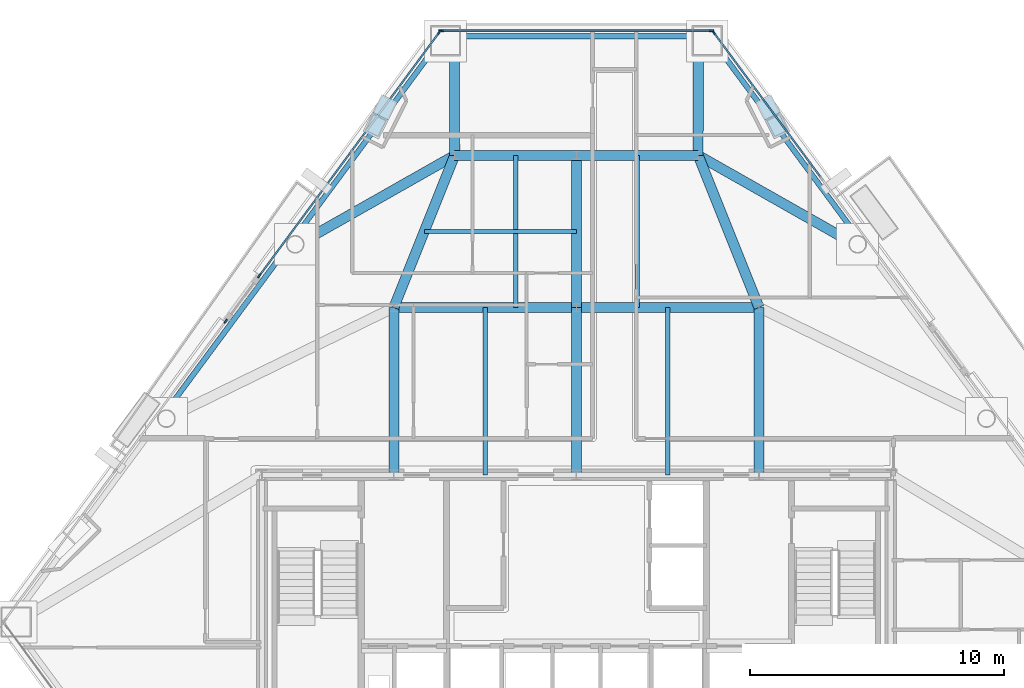
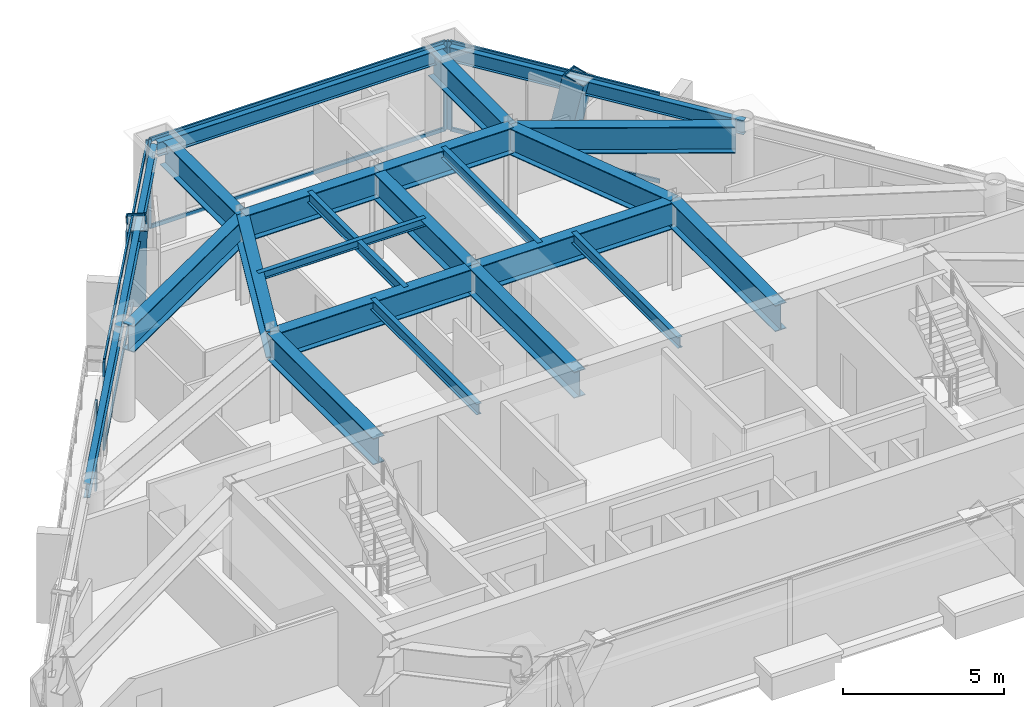
# One storey, part 4 of 11: 23 beams, 14 members, 4 elements without a shape of their own.
"""IFC4 building model written with IfcOpenShell, lengths in metres."""

from ifc_helpers import new_model, si_unit, direction, frame, origin, origin_2d, place, context, subcontext, project, spatial, rectangle, hollow_rectangle, i_section, extrude, material, layer, layer_set, material_profile, profile_set, type_object, element, aggregate, save


model = new_model("IFC4")

# Units and contexts
model_context = context("Model", 3, precision=1e-05, world=origin(), true_north=direction((0.0, 1.0)))
body_context = subcontext(model_context, "Body", "Model", "MODEL_VIEW")
ifc_project = project(units=[si_unit("LENGTHUNIT", "METRE"), si_unit("AREAUNIT", "SQUARE_METRE"), si_unit("VOLUMEUNIT", "CUBIC_METRE"), si_unit("PLANEANGLEUNIT", "RADIAN"), si_unit("MASSUNIT", "GRAM", prefix="KILO")], contexts=[model_context])

# Site, building, storey
site_placement = place(None, origin())
site = spatial("IfcSite", under=ifc_project, at=site_placement, CompositionType="ELEMENT")
building_placement = place(site_placement, origin())
building = spatial("IfcBuilding", under=site, at=building_placement, Name="Talgorran Terracotta Tower", CompositionType="ELEMENT")
storey_placement = place(building_placement, frame((0.0, 0.0, 140.10009765625)))
storey = spatial("IfcBuildingStorey", under=building, at=storey_placement, Name="L36", CompositionType="ELEMENT", Elevation=140.10009765625)

# Beams
ifc_material_1 = material(Name="Steel Grade 350 (350L0)", Category="steel")
ifc_material_profile_1 = material_profile(ifc_material_1, i_section(OverallWidth=0.39990234375, OverallDepth=1.0, WebThickness=0.01611328125, FlangeThickness=0.031005859375, at=origin_2d()), Name="1000WB296")
ifc_profile_set_1 = profile_set([ifc_material_profile_1], Name="Steel Grade 350 (350L0)")
beam_type_1 = type_object("IfcBeamType", Name="BM_1000WB296", PredefinedType="BEAM", material=ifc_profile_set_1)
for number, where, z_axis, x_axis, name in (
    (1, (4.80615234375, 13.177978515625, 2.849853515625), (-0.001277399193, -0.999999184125, 0.0), (0.999999184125, -0.001277399193, 0.0), "L36 Perimeter Step Girder 9B"),
    (2, (-4.80615234375, 13.177978515625, 2.849853515625), (0.001277399193, -0.999999184125, 0.0), (0.999999184125, 0.001277399193, 0.0), "L36 Perimeter Step Girder 10B"),
):
    element("IfcBeam", number, at=place(storey_placement, frame(where, z_axis=z_axis, x_axis=x_axis)), inside=storey, type_object=beam_type_1, Name=name, PredefinedType="BEAM", context=body_context, shape_type="SweptSolid", body=[
        extrude(i_section(OverallWidth=0.39990234375, OverallDepth=1.0, WebThickness=0.01611328125, FlangeThickness=0.031005859375, at=origin_2d()), origin(), (0.0, 0.0, 1.0), 4.778076171875),
    ])
for number, where, z_axis, x_axis, name in (
    (3, (-7.199951171875, -4.199951171875, 2.849853515625), (0.0, 1.0, 0.0), (-1.0, 0.0, 0.0), "L36 Floor Girder G01"),
    (4, (0.0, -4.199951171875, 2.849853515625), (0.0, 1.0, 0.0), (-1.0, 0.0, 0.0), "L36 Floor Girder G02"),
    (5, (7.199951171875, -4.199951171875, 2.849853515625), (0.0, 1.0, 0.0), (-1.0, 0.0, 0.0), "L36 Floor Girder G03"),
):
    element("IfcBeam", number, at=place(storey_placement, frame(where, z_axis=z_axis, x_axis=x_axis)), inside=storey, type_object=beam_type_1, Name=name, PredefinedType="BEAM", context=body_context, shape_type="SweptSolid", body=[
        extrude(i_section(OverallWidth=0.39990234375, OverallDepth=1.0, WebThickness=0.01611328125, FlangeThickness=0.031005859375, at=origin_2d()), origin(), (0.0, 0.0, 1.0), 6.599853515625),
    ])
for number, where, z_axis, x_axis, name in (
    (6, (-7.199951171875, 2.39990234375, 2.849853515625), (1.0, 0.0, 0.0), (0.0, 1.0, 0.0), "L36 Floor Girder G04"),
    (7, (0.0, 2.39990234375, 2.849853515625), (1.0, 0.0, 0.0), (0.0, 1.0, 0.0), "L36 Floor Girder G05"),
):
    element("IfcBeam", number, at=place(storey_placement, frame(where, z_axis=z_axis, x_axis=x_axis)), inside=storey, type_object=beam_type_1, Name=name, PredefinedType="BEAM", context=body_context, shape_type="SweptSolid", body=[
        extrude(i_section(OverallWidth=0.39990234375, OverallDepth=1.0, WebThickness=0.01611328125, FlangeThickness=0.031005859375, at=origin_2d()), origin(), (0.0, 0.0, 1.0), 7.199951171875),
    ])
beam_1_placement = place(storey_placement, frame((-7.199951171875, 2.39990234375, 2.849853515625), z_axis=(0.371377648723, 0.928481901832, 0.0), x_axis=(-0.928481901832, 0.371377648723, 0.0)))
element("IfcBeam", 8, at=beam_1_placement, inside=storey, type_object=beam_type_1, Name="L36 Floor Girder G08", PredefinedType="BEAM", context=body_context, shape_type="SweptSolid", body=[
    extrude(i_section(OverallWidth=0.39990234375, OverallDepth=1.0, WebThickness=0.01611328125, FlangeThickness=0.031005859375, at=origin_2d()), origin(), (0.0, 0.0, 1.0), 6.462158203125),
])
beam_2_placement = place(storey_placement, frame((0.0, 2.39990234375, 2.849853515625), z_axis=(0.0, 1.0, 0.0), x_axis=(-1.0, 0.0, 0.0)))
element("IfcBeam", 9, at=beam_2_placement, inside=storey, type_object=beam_type_1, Name="L36 Floor Girder G09", PredefinedType="BEAM", context=body_context, shape_type="SweptSolid", body=[
    extrude(i_section(OverallWidth=0.39990234375, OverallDepth=1.0, WebThickness=0.01611328125, FlangeThickness=0.031005859375, at=origin_2d()), origin(), (0.0, 0.0, 1.0), 6.0),
])
beam_3_placement = place(storey_placement, frame((7.199951171875, 2.39990234375, 2.849853515625), z_axis=(-0.371377648723, 0.928481901832, 0.0), x_axis=(-0.928481901832, -0.371377648723, 0.0)))
element("IfcBeam", 10, at=beam_3_placement, inside=storey, type_object=beam_type_1, Name="L36 Floor Girder G10", PredefinedType="BEAM", context=body_context, shape_type="SweptSolid", body=[
    extrude(i_section(OverallWidth=0.39990234375, OverallDepth=1.0, WebThickness=0.01611328125, FlangeThickness=0.031005859375, at=origin_2d()), origin(), (0.0, 0.0, 1.0), 6.462158203125),
])
for number, where, z_axis, x_axis, name in (
    (11, (-4.800048828125, 8.39990234375, 2.849853515625), (1.0, 0.0, 0.0), (0.0, 1.0, 0.0), "L36 Floor Girder G11"),
    (12, (0.0, 8.39990234375, 2.849853515625), (1.0, 0.0, 0.0), (0.0, 1.0, 0.0), "L36 Floor Girder G12"),
):
    element("IfcBeam", number, at=place(storey_placement, frame(where, z_axis=z_axis, x_axis=x_axis)), inside=storey, type_object=beam_type_1, Name=name, PredefinedType="BEAM", context=body_context, shape_type="SweptSolid", body=[
        extrude(i_section(OverallWidth=0.39990234375, OverallDepth=1.0, WebThickness=0.01611328125, FlangeThickness=0.031005859375, at=origin_2d()), origin(), (0.0, 0.0, 1.0), 4.800048828125),
    ])
for number, where, z_axis, x_axis, name in (
    (13, (-4.800048828125, 8.39990234375, 2.849853515625), (-0.869819954878, -0.493369279644, 0.0), (0.493369279644, -0.869819954878, 0.0), "L36 Floor Girder G13"),
    (14, (4.800048828125, 8.39990234375, 2.849853515625), (0.869819954878, -0.493369279644, 0.0), (0.493369279644, 0.869819954878, 0.0), "L36 Floor Girder G14"),
):
    element("IfcBeam", number, at=place(storey_placement, frame(where, z_axis=z_axis, x_axis=x_axis)), inside=storey, type_object=beam_type_1, Name=name, PredefinedType="BEAM", context=body_context, shape_type="SweptSolid", body=[
        extrude(i_section(OverallWidth=0.39990234375, OverallDepth=1.0, WebThickness=0.01611328125, FlangeThickness=0.031005859375, at=origin_2d()), origin(), (0.0, 0.0, 1.0), 6.9931640625),
    ])
ifc_material_2 = material(Name="Steel S355 (300PLUS)", Category="steel")
ifc_material_profile_2 = material_profile(ifc_material_2, i_section(OverallWidth=0.177734375, OverallDepth=0.406494140625, WebThickness=0.0078125, FlangeThickness=0.0126953125, at=origin_2d()), Name="410UB59.7")
ifc_profile_set_2 = profile_set([ifc_material_profile_2], Name="Steel S355 (300PLUS)")
beam_type_2 = type_object("IfcBeamType", Name="BM_JS_410UB60", PredefinedType="JOIST", material=ifc_profile_set_2)
for number, where, z_axis, x_axis, name in (
    (15, (-3.60009765625, -4.199951171875, 3.146728515625), (0.0, 1.0, 0.0), (-1.0, 0.0, 0.0), "L36 Secondary Joist J01"),
    (16, (3.60009765625, -4.199951171875, 3.146728515625), (0.0, 1.0, 0.0), (-1.0, 0.0, 0.0), "L36 Secondary Joist J02"),
):
    element("IfcBeam", number, at=place(storey_placement, frame(where, z_axis=z_axis, x_axis=x_axis)), inside=storey, type_object=beam_type_2, Name=name, PredefinedType="JOIST", context=body_context, shape_type="SweptSolid", body=[
        extrude(i_section(OverallWidth=0.177734375, OverallDepth=0.406494140625, WebThickness=0.0078125, FlangeThickness=0.0126953125, at=origin_2d()), origin(), (0.0, 0.0, 1.0), 6.599853515625),
    ])
for number, where, z_axis, x_axis, name in (
    (17, (-2.39990234375, 2.39990234375, 3.146728515625), (0.0, 1.0, 0.0), (-1.0, 0.0, 0.0), "L36 Secondary Joist J03"),
    (18, (2.39990234375, 2.39990234375, 3.146728515625), (0.0, 1.0, 0.0), (-1.0, 0.0, 0.0), "L36 Secondary Joist J04"),
):
    element("IfcBeam", number, at=place(storey_placement, frame(where, z_axis=z_axis, x_axis=x_axis)), inside=storey, type_object=beam_type_2, Name=name, PredefinedType="JOIST", context=body_context, shape_type="SweptSolid", body=[
        extrude(i_section(OverallWidth=0.177734375, OverallDepth=0.406494140625, WebThickness=0.0078125, FlangeThickness=0.0126953125, at=origin_2d()), origin(), (0.0, 0.0, 1.0), 6.0),
    ])
ifc_material_profile_3 = material_profile(ifc_material_2, i_section(OverallWidth=0.1650390625, OverallDepth=0.303955078125, WebThickness=0.006103515625, FlangeThickness=0.01025390625, at=origin_2d()), Name="310UB40.4")
ifc_profile_set_3 = profile_set([ifc_material_profile_3], Name="Steel S355 (300PLUS)")
beam_type_3 = type_object("IfcBeamType", Name="BM_OL_310UB40", PredefinedType="BEAM", material=ifc_profile_set_3)
beam_4_placement = place(storey_placement, frame((-6.0, 5.39990234375, 3.197998046875), z_axis=(1.0, 0.0, 0.0), x_axis=(0.0, 1.0, 0.0)))
element("IfcBeam", 19, at=beam_4_placement, inside=storey, type_object=beam_type_3, Name="L36 Balcony Back-Span Tie Beam OL1", PredefinedType="BEAM", context=body_context, shape_type="SweptSolid", body=[
    extrude(i_section(OverallWidth=0.1650390625, OverallDepth=0.303955078125, WebThickness=0.006103515625, FlangeThickness=0.01025390625, at=origin_2d()), origin(), (0.0, 0.0, 1.0), 6.0),
])
ifc_material_profile_4 = material_profile(ifc_material_2, i_section(OverallWidth=0.209228515625, OverallDepth=0.532958984375, WebThickness=0.01025390625, FlangeThickness=0.015625, at=origin_2d()), Name="530UB92.4")
ifc_profile_set_4 = profile_set([ifc_material_profile_4], Name="Steel S355 (300PLUS)")
beam_type_4 = type_object("IfcBeamType", Name="BM_SP_530UB92", PredefinedType="SPANDREL", material=ifc_profile_set_4)
beam_5_placement = place(storey_placement, frame((11.2333984375, 5.000732421875, 3.08349609375), z_axis=(-0.594348381438, 0.80420768554, 0.0), x_axis=(-0.80420768554, -0.594348381438, 0.0)))
element("IfcBeam", 20, at=beam_5_placement, inside=storey, type_object=beam_type_4, Name="L36 Perimeter Spandrel Beam FC4-MC5", PredefinedType="SPANDREL", context=body_context, shape_type="SweptSolid", body=[
    extrude(i_section(OverallWidth=0.209228515625, OverallDepth=0.532958984375, WebThickness=0.01025390625, FlangeThickness=0.015625, at=origin_2d()), origin(), (0.0, 0.0, 1.0), 9.97216796875),
])
beam_6_placement = place(storey_placement, frame((5.16162109375, 13.093505859375, 3.08349609375), z_axis=(-1.0, 0.0, 0.0), x_axis=(0.0, -1.0, 0.0)))
element("IfcBeam", 21, at=beam_6_placement, inside=storey, type_object=beam_type_4, Name="L36 Perimeter Spandrel Beam MC5-MC6", PredefinedType="SPANDREL", context=body_context, shape_type="SweptSolid", body=[
    extrude(i_section(OverallWidth=0.209228515625, OverallDepth=0.532958984375, WebThickness=0.01025390625, FlangeThickness=0.015625, at=origin_2d()), origin(), (0.0, 0.0, 1.0), 10.3232421875),
])
beam_7_placement = place(storey_placement, frame((-5.306396484375, 13.0205078125, 3.08349609375), z_axis=(-0.594348381438, -0.80420768554, 0.0), x_axis=(0.80420768554, -0.594348381438, 0.0)))
element("IfcBeam", 22, at=beam_7_placement, inside=storey, type_object=beam_type_4, Name="L36 Perimeter Spandrel Beam MC6-FC5", PredefinedType="SPANDREL", context=body_context, shape_type="SweptSolid", body=[
    extrude(i_section(OverallWidth=0.209228515625, OverallDepth=0.532958984375, WebThickness=0.01025390625, FlangeThickness=0.015625, at=origin_2d()), origin(), (0.0, 0.0, 1.0), 9.97216796875),
])
beam_8_placement = place(storey_placement, frame((-11.2333984375, 5.000732421875, 3.08349609375), z_axis=(-0.594373393058, -0.804189200142, 0.0), x_axis=(0.804189200142, -0.594373393058, 0.0)))
element("IfcBeam", 23, at=beam_8_placement, inside=storey, type_object=beam_type_4, Name="L36 Perimeter Spandrel Beam FC5-FC6", PredefinedType="SPANDREL", context=body_context, shape_type="SweptSolid", body=[
    extrude(i_section(OverallWidth=0.209228515625, OverallDepth=0.532958984375, WebThickness=0.01025390625, FlangeThickness=0.015625, at=origin_2d()), origin(), (0.0, 0.0, 1.0), 8.5478515625),
])

# Members
ifc_material_profile_5 = material_profile(ifc_material_1, hollow_rectangle(XDim=0.6201171875, YDim=0.780029296875, WallThickness=0.0419921875, at=origin_2d()), Name="WBOX780X620X42")
ifc_profile_set_5 = profile_set([ifc_material_profile_5], Name="Steel Grade 350 (350L0)")
member_type_1 = type_object("IfcMemberType", Name="MB_MEGA_780", PredefinedType="BRACE", material=ifc_profile_set_5)
for number, where, z_axis, x_axis, name in (
    (24, (7.56201171875, 10.271240234375, -0.025146484375), (0.10092124449, -0.199392944211, 0.974708857151), (0.892224247831, 0.451592616838, 0.0), "L36 Exterior Face Mega-Brace MB-2 (NEU)"),
    (25, (-7.56201171875, 10.271240234375, -0.025146484375), (-0.10092124449, -0.199392944211, 0.974708857151), (0.892224247831, -0.451592616838, 0.0), "L36 Exterior Face Mega-Brace MB-2 (NWU)"),
):
    element("IfcMember", number, at=place(storey_placement, frame(where, z_axis=z_axis, x_axis=x_axis)), inside=storey, type_object=member_type_1, Name=name, PredefinedType="BRACE", context=body_context, shape_type="SweptSolid", body=[
        extrude(hollow_rectangle(XDim=0.6201171875, YDim=0.780029296875, WallThickness=0.0419921875, at=origin_2d()), origin(), (0.0, 0.0, 1.0), 3.48828125),
    ])

# Curtain wall, member
ifc_material_3 = material(Name="Unitised Low-E Double Glazing", Category="glass")
ifc_layer = layer(ifc_material_3, 0.199951171875, Name="CW_SYS2_RES_LOW")
ifc_layer_set = layer_set([ifc_layer], Name="Unitised Low-E Double Glazing")
curtain_wall_type = type_object("IfcCurtainWallType", Name="CW_SYS2_RES_LOW", PredefinedType="NOTDEFINED", material=ifc_layer_set)
curtain_wall_1_placement = place(storey_placement, origin())
curtain_wall_1 = element("IfcCurtainWall", 26, at=curtain_wall_1_placement, inside=storey, type_object=curtain_wall_type, Name="CW-L36-F41", PredefinedType="NOTDEFINED")
ifc_material_4 = material(Name="Architectural Aluminium 6063-T6", Category="aluminium")
ifc_material_profile_6 = material_profile(ifc_material_4, rectangle(XDim=0.06494140625, YDim=0.18505859375, at=origin_2d()), Name="CWM65X185")
ifc_profile_set_6 = profile_set([ifc_material_profile_6], Name="Architectural Aluminium 6063-T6")
member_type_2 = type_object("IfcMemberType", Name="MUL_65X185", PredefinedType="MULLION", material=ifc_profile_set_6)
member_1_placement = place(storey_placement, frame((5.406494140625, 13.255126953125, 0.0), z_axis=(0.0, 0.0, 1.0), x_axis=(-0.804201449574, -0.594356819177, 0.0)))
member_1 = element("IfcMember", 27, at=member_1_placement, type_object=member_type_2, Name="CW-L36-41 mullion 3", PredefinedType="MULLION", context=body_context, shape_type="SweptSolid", body=[
    extrude(rectangle(XDim=0.06494140625, YDim=0.18505859375, at=origin_2d()), origin(), (0.0, 0.0, 1.0), 3.349853515625),
])

# Curtain wall, members
curtain_wall_2_placement = place(storey_placement, origin())
curtain_wall_2 = element("IfcCurtainWall", 28, at=curtain_wall_2_placement, inside=storey, type_object=curtain_wall_type, Name="CW-L36-F4", PredefinedType="NOTDEFINED")
member_2_placement = place(storey_placement, frame((5.330810546875, 13.3134765625, 0.0), z_axis=(0.0, 0.0, 1.0), x_axis=(0.0, -1.0, 0.0)))
member_2 = element("IfcMember", 29, at=member_2_placement, type_object=member_type_2, Name="CW-L36-4 mullion 1", PredefinedType="MULLION", context=body_context, shape_type="SweptSolid", body=[
    extrude(rectangle(XDim=0.06494140625, YDim=0.18505859375, at=origin_2d()), origin(), (0.0, 0.0, 1.0), 3.349853515625),
])
member_3_placement = place(storey_placement, frame((-5.330810546875, 13.3134765625, 0.0), z_axis=(0.0, 0.0, 1.0), x_axis=(0.0, -1.0, 0.0)))
member_3 = element("IfcMember", 30, at=member_3_placement, type_object=member_type_2, Name="CW-L36-4 mullion 2", PredefinedType="MULLION", context=body_context, shape_type="SweptSolid", body=[
    extrude(rectangle(XDim=0.06494140625, YDim=0.18505859375, at=origin_2d()), origin(), (0.0, 0.0, 1.0), 3.349853515625),
])

curtain_wall_3_placement = place(storey_placement, origin())
curtain_wall_3 = element("IfcCurtainWall", 31, at=curtain_wall_3_placement, inside=storey, type_object=curtain_wall_type, Name="CW-L36-F60", PredefinedType="NOTDEFINED")
member_4_placement = place(storey_placement, frame((-5.406494140625, 13.255126953125, 0.0), z_axis=(0.0, 0.0, 1.0), x_axis=(0.804200190833, -0.594358522328, 0.0)))
member_4 = element("IfcMember", 32, at=member_4_placement, type_object=member_type_2, Name="CW-L36-60 mullion 1", PredefinedType="MULLION", context=body_context, shape_type="SweptSolid", body=[
    extrude(rectangle(XDim=0.06494140625, YDim=0.18505859375, at=origin_2d()), origin(), (0.0, 0.0, 1.0), 3.349853515625),
])
member_5_placement = place(storey_placement, frame((-12.5068359375, 3.64794921875, 0.0), z_axis=(0.0, 0.0, 1.0), x_axis=(0.804200190833, -0.594358522328, 0.0)))
member_5 = element("IfcMember", 33, at=member_5_placement, type_object=member_type_2, Name="CW-L36-60 mullion 2", PredefinedType="MULLION", context=body_context, shape_type="SweptSolid", body=[
    extrude(rectangle(XDim=0.06494140625, YDim=0.18505859375, at=origin_2d()), origin(), (0.0, 0.0, 1.0), 3.349853515625),
])

# Curtain wall, member
curtain_wall_4_placement = place(storey_placement, origin())
curtain_wall_4 = element("IfcCurtainWall", 34, at=curtain_wall_4_placement, inside=storey, type_object=curtain_wall_type, Name="CW-L36-F61", PredefinedType="NOTDEFINED")
member_6_placement = place(storey_placement, frame((-13.829345703125, 1.8583984375, 0.0), z_axis=(0.0, 0.0, 1.0), x_axis=(0.80419940728, -0.594359582518, 0.0)))
member_6 = element("IfcMember", 35, at=member_6_placement, type_object=member_type_2, Name="CW-L36-61 mullion 1", PredefinedType="MULLION", context=body_context, shape_type="SweptSolid", body=[
    extrude(rectangle(XDim=0.06494140625, YDim=0.18505859375, at=origin_2d()), origin(), (0.0, 0.0, 1.0), 3.349853515625),
])
aggregate(curtain_wall_4, [member_6])

# Member
ifc_material_profile_7 = material_profile(ifc_material_4, rectangle(XDim=0.06494140625, YDim=0.14990234375, at=origin_2d()), Name="CWT65X150")
ifc_profile_set_7 = profile_set([ifc_material_profile_7], Name="Architectural Aluminium 6063-T6")
member_type_3 = type_object("IfcMemberType", Name="TRN_65X150", PredefinedType="USERDEFINED", material=ifc_profile_set_7)
member_7_placement = place(storey_placement, frame((9.63818359375, 7.529296875, 0.032470703125), z_axis=(-0.5943523178, 0.804204776363, 0.0), x_axis=(-0.804204776363, -0.5943523178, 0.0)))
member_7 = element("IfcMember", 36, at=member_7_placement, type_object=member_type_3, Name="CW-L36-41 transom 2.1", ObjectType="TRANSOM", PredefinedType="USERDEFINED", context=body_context, shape_type="SweptSolid", body=[
    extrude(rectangle(XDim=0.06494140625, YDim=0.14990234375, at=origin_2d()), origin(), (0.0, 0.0, 1.0), 7.08740234375),
])

member_8_placement = place(storey_placement, frame((9.63818359375, 7.529296875, 3.3173828125), z_axis=(-0.5943523178, 0.804204776363, 0.0), x_axis=(-0.804204776363, -0.5943523178, 0.0)))
member_8 = element("IfcMember", 37, at=member_8_placement, type_object=member_type_3, Name="CW-L36-41 transom 2.2", ObjectType="TRANSOM", PredefinedType="USERDEFINED", context=body_context, shape_type="SweptSolid", body=[
    extrude(rectangle(XDim=0.06494140625, YDim=0.14990234375, at=origin_2d()), origin(), (0.0, 0.0, 1.0), 7.08740234375),
])

aggregate(curtain_wall_1, [member_1, member_7, member_8])

member_9_placement = place(storey_placement, frame((5.29833984375, 13.3134765625, 0.032470703125), z_axis=(-1.0, 0.0, 0.0), x_axis=(0.0, -1.0, 0.0)))
member_9 = element("IfcMember", 38, at=member_9_placement, type_object=member_type_3, Name="CW-L36-4 transom 1.1", ObjectType="TRANSOM", PredefinedType="USERDEFINED", context=body_context, shape_type="SweptSolid", body=[
    extrude(rectangle(XDim=0.06494140625, YDim=0.14990234375, at=origin_2d()), origin(), (0.0, 0.0, 1.0), 10.5966796875),
])

member_10_placement = place(storey_placement, frame((5.29833984375, 13.3134765625, 3.3173828125), z_axis=(-1.0, 0.0, 0.0), x_axis=(0.0, -1.0, 0.0)))
member_10 = element("IfcMember", 39, at=member_10_placement, type_object=member_type_3, Name="CW-L36-4 transom 1.2", ObjectType="TRANSOM", PredefinedType="USERDEFINED", context=body_context, shape_type="SweptSolid", body=[
    extrude(rectangle(XDim=0.06494140625, YDim=0.14990234375, at=origin_2d()), origin(), (0.0, 0.0, 1.0), 10.5966796875),
])

aggregate(curtain_wall_2, [member_2, member_3, member_9, member_10])

member_11_placement = place(storey_placement, frame((-5.42578125, 13.22900390625, 0.032470703125), z_axis=(-0.594359861369, -0.804199201189, 0.0), x_axis=(0.804199201189, -0.594359861369, 0.0)))
member_11 = element("IfcMember", 40, at=member_11_placement, type_object=member_type_3, Name="CW-L36-60 transom 1.1", ObjectType="TRANSOM", PredefinedType="USERDEFINED", context=body_context, shape_type="SweptSolid", body=[
    extrude(rectangle(XDim=0.06494140625, YDim=0.14990234375, at=origin_2d()), origin(), (0.0, 0.0, 1.0), 11.88134765625),
])

member_12_placement = place(storey_placement, frame((-5.42578125, 13.22900390625, 3.3173828125), z_axis=(-0.594359861369, -0.804199201189, 0.0), x_axis=(0.804199201189, -0.594359861369, 0.0)))
member_12 = element("IfcMember", 41, at=member_12_placement, type_object=member_type_3, Name="CW-L36-60 transom 1.2", ObjectType="TRANSOM", PredefinedType="USERDEFINED", context=body_context, shape_type="SweptSolid", body=[
    extrude(rectangle(XDim=0.06494140625, YDim=0.14990234375, at=origin_2d()), origin(), (0.0, 0.0, 1.0), 11.88134765625),
])

aggregate(curtain_wall_3, [member_4, member_5, member_11, member_12])

save(model, "model.ifc")
